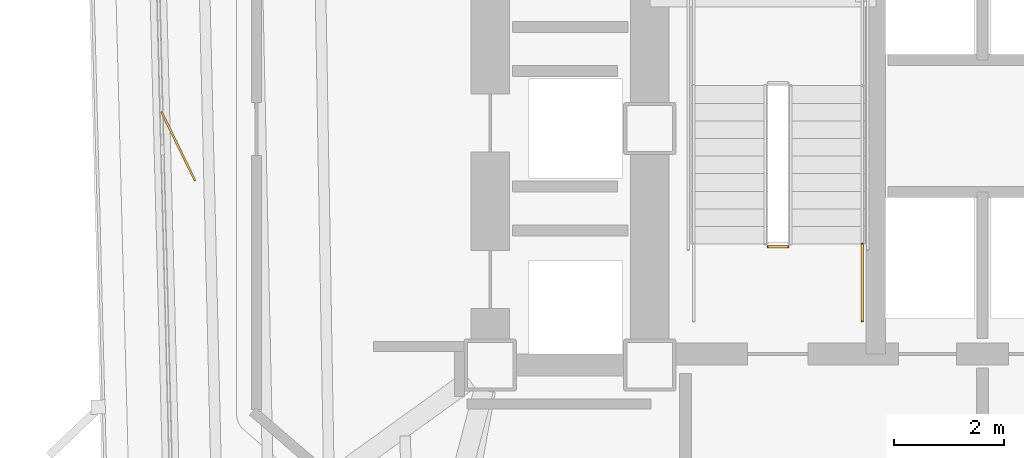
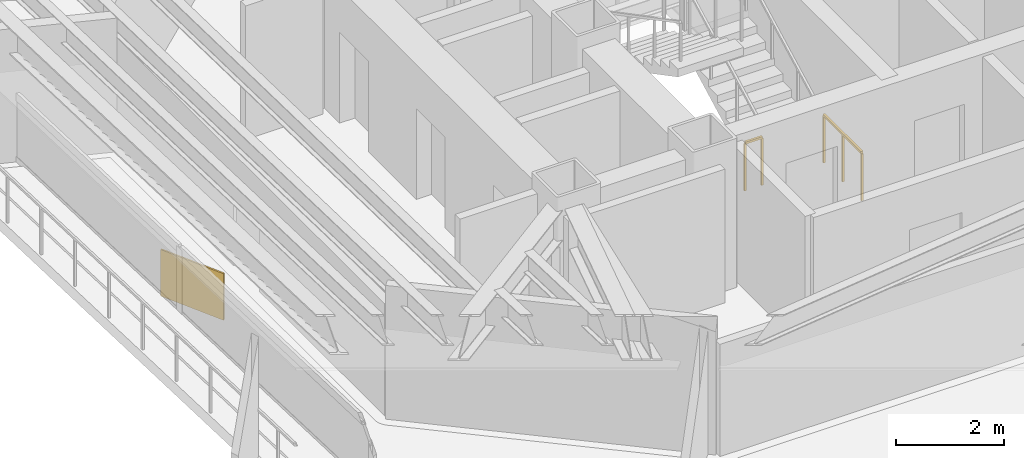
# One storey, part 11 of 14: 2 railings, 1 covering.
"""IFC4 building model written with IfcOpenShell, lengths in metres."""

from ifc_helpers import new_model, si_unit, direction, frame, origin, origin_2d, place, context, subcontext, project, spatial, rectangle, extrude, material, layer, layer_set, type_object, element, save


model = new_model("IFC4")

# Units and contexts
model_context = context("Model", 3, precision=1e-05, world=origin(), true_north=direction((0.0, 1.0)))
body_context = subcontext(model_context, "Body", "Model", "MODEL_VIEW")
ifc_project = project(units=[si_unit("LENGTHUNIT", "METRE"), si_unit("AREAUNIT", "SQUARE_METRE"), si_unit("VOLUMEUNIT", "CUBIC_METRE"), si_unit("PLANEANGLEUNIT", "RADIAN"), si_unit("MASSUNIT", "GRAM", prefix="KILO")], contexts=[model_context])

# Site, building, storey
site_placement = place(None, origin())
site = spatial("IfcSite", under=ifc_project, at=site_placement, CompositionType="ELEMENT")
building_placement = place(site_placement, origin())
building = spatial("IfcBuilding", under=site, at=building_placement, Name="Rocaltana Carrier Exchange", CompositionType="ELEMENT")
storey_placement = place(building_placement, frame((0.0, 0.0, 42.39990234375)))
storey = spatial("IfcBuildingStorey", under=building, at=storey_placement, Name="L13", CompositionType="ELEMENT", Elevation=42.39990234375)

# Railings
ifc_material_1 = material(Name="Powder-Coated Aluminium 6063-T6", Category="aluminium")
ifc_layer_1 = layer(ifc_material_1, 0.048095703125)
ifc_layer_set_1 = layer_set([ifc_layer_1], Name="Powder-Coated Aluminium 6063-T6")
railing_type = type_object("IfcRailingType", Name="Stair Well Guardrail 1100", PredefinedType="GUARDRAIL", material=ifc_layer_set_1)
railing_1_placement = place(storey_placement, frame((-3.5400390625, -2.14990234375, 0.0)))
element("IfcRailing", 1, at=railing_1_placement, inside=storey, type_object=railing_type, Name="L13 ST-1 stair guard 7", PredefinedType="GUARDRAIL", context=body_context, shape_type="SweptSolid", body=[
    extrude(rectangle(XDim=0.048095703125, YDim=0.048095703125, at=origin_2d()), frame((0.0, 0.0, 1.076171875), z_axis=(-1.0, 0.0, 0.0), x_axis=(0.0, -1.0, 0.0)), (0.0, 0.0, 1.0), 0.35986328125),
    extrude(rectangle(XDim=0.0419921875, YDim=0.0419921875, at=origin_2d()), origin(), (0.0, 0.0, 1.0), 1.052001953125),
    extrude(rectangle(XDim=0.0419921875, YDim=0.0419921875, at=origin_2d()), frame((-0.35986328125, 0.0, 0.0)), (0.0, 0.0, 1.0), 1.052001953125),
])
railing_2_placement = place(storey_placement, frame((-2.18994140625, -3.5, 0.0)))
element("IfcRailing", 2, at=railing_2_placement, inside=storey, type_object=railing_type, Name="L13 ST-1 stair guard 8", PredefinedType="GUARDRAIL", context=body_context, shape_type="SweptSolid", body=[
    extrude(rectangle(XDim=0.048095703125, YDim=0.048095703125, at=origin_2d()), frame((0.0, 0.0, 1.076171875), z_axis=(0.0, 1.0, 0.0), x_axis=(-1.0, 0.0, 0.0)), (0.0, 0.0, 1.0), 1.39990234375),
    extrude(rectangle(XDim=0.0419921875, YDim=0.0419921875, at=origin_2d()), origin(), (0.0, 0.0, 1.0), 1.052001953125),
    extrude(rectangle(XDim=0.0419921875, YDim=0.0419921875, at=origin_2d()), frame((0.0, 0.699951171875, 0.0)), (0.0, 0.0, 1.0), 1.052001953125),
    extrude(rectangle(XDim=0.0419921875, YDim=0.0419921875, at=origin_2d()), frame((0.0, 1.39990234375, 0.0)), (0.0, 0.0, 1.0), 1.052001953125),
])

# Covering
ifc_material_2 = material(Name="Honed Piedra Muneca Sandstone", Category="masonry")
ifc_layer_2 = layer(ifc_material_2, 0.034912109375)
ifc_layer_set_2 = layer_set([ifc_layer_2], Name="Honed Piedra Muneca Sandstone")
covering_type = type_object("IfcCoveringType", Name="Stone Facade Cladding 35", PredefinedType="CLADDING", material=ifc_layer_set_2)
covering_placement = place(storey_placement, frame((-14.621337890625, -0.32373046875, 0.0), z_axis=(0.0, 0.0, 1.0), x_axis=(-0.438371146789, 0.898794046299, 0.0)))
element("IfcCovering", 3, at=covering_placement, inside=storey, type_object=covering_type, Name="L13 Stone Facade Cladding Panel 1", PredefinedType="CLADDING", context=body_context, shape_type="SweptSolid", body=[
    extrude(rectangle(XDim=1.39990234375, YDim=0.034912109375, at=origin_2d()), origin(), (0.0, 0.0, 1.0), 1.050048828125),
])

save(model, "model.ifc")
